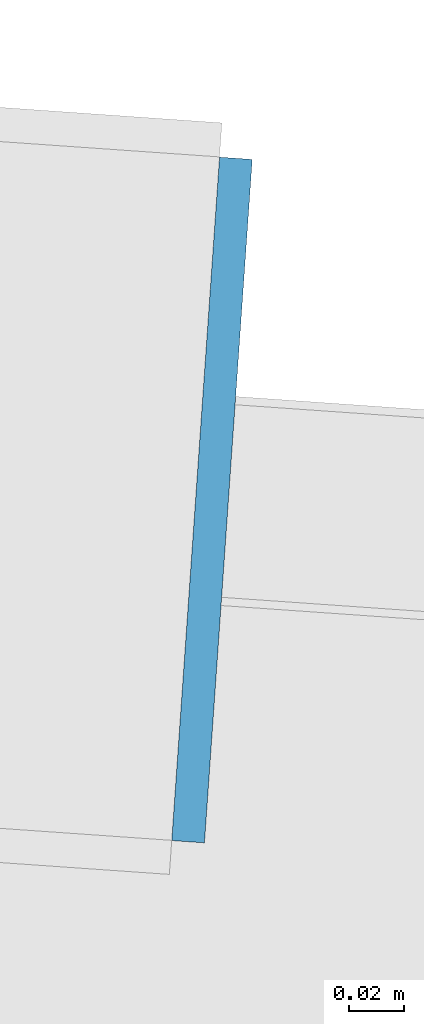
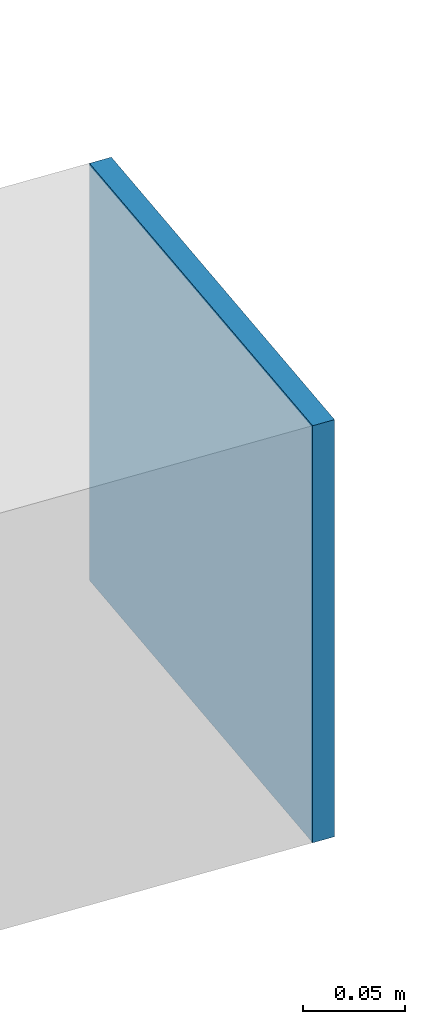
# One storey, part 31 of 39: 1 plate.
"""IFC4 building model written with IfcOpenShell, lengths in metres."""

import ifcopenshell
import ifcopenshell.guid

model = None  # the IFC model being written
_history = None  # IfcOwnerHistory: only IFC2X3 demands one
_inside = {}  # id of a spatial element -> (the spatial element, [elements in it])
_under = {}  # id of a project, library or spatial element -> (it, [spatial elements below it])
_declared = {}  # id of a project -> (the project, [libraries it declares])
_typed = {}  # id of a type object -> (the type object, [elements of that type])
_made_of = {}  # id of a material, layer set ... -> (it, [elements and type objects made of it])


def new_model(schema):
    """Start an empty IFC model of exactly this schema.

    Asked for "IFC4X3", IfcOpenShell would pick the latest addendum, in which some entities
    have other attributes; the version numbers below select the first issue.
    IFC2X3 requires an IfcOwnerHistory on every rooted entity: one is made here for all.
    """
    global model, _history
    if schema == "IFC4X3":
        model = ifcopenshell.file(schema_version=(4, 3, 0, 0))
    else:
        model = ifcopenshell.file(schema=schema)
    _inside.clear()
    _under.clear()
    _declared.clear()
    _typed.clear()
    _made_of.clear()
    _history = None
    if model.schema == "IFC2X3":
        org = make("IfcOrganization", Name="unknown")
        user = make(
            "IfcPersonAndOrganization",
            ThePerson=make("IfcPerson", FamilyName="unknown"),
            TheOrganization=org,
        )
        app = make(
            "IfcApplication",
            ApplicationDeveloper=org,
            Version="unknown",
            ApplicationFullName="unknown",
            ApplicationIdentifier="unknown",
        )
        _history = make(
            "IfcOwnerHistory",
            OwningUser=user,
            OwningApplication=app,
            ChangeAction="ADDED",
            CreationDate=0,
        )
    return model


def make(cls, **values):
    """One entity of the class cls with the attributes given. An attribute that is None is left unset."""
    return model.create_entity(
        cls, **{name: value for name, value in values.items() if value is not None}
    )


def rooted(cls, **values):
    """An entity with a GlobalId (a new one), such as an element, a storey or a relation."""
    return make(cls, GlobalId=ifcopenshell.guid.new(), OwnerHistory=_history, **values)


def si_unit(unit_type, name, prefix=None):
    """IfcSIUnit, for example si_unit("LENGTHUNIT", "METRE", prefix="MILLI")."""
    return make("IfcSIUnit", UnitType=unit_type, Prefix=prefix, Name=name)


def assignment(units):
    """IfcUnitAssignment: the units of a project."""
    return None if units is None else make("IfcUnitAssignment", Units=units)


def point(xyz):
    """IfcCartesianPoint."""
    return None if xyz is None else make("IfcCartesianPoint", Coordinates=xyz)


def direction(xyz):
    """IfcDirection."""
    return None if xyz is None else make("IfcDirection", DirectionRatios=xyz)


def frame(location, z_axis=None, x_axis=None):
    """IfcAxis2Placement3D, a coordinate frame: its origin and axes. An axis left out is left unset."""
    return make(
        "IfcAxis2Placement3D",
        Location=point(location),
        Axis=direction(z_axis),
        RefDirection=direction(x_axis),
    )


def frame_2d(location, x_axis=None):
    """IfcAxis2Placement2D, a coordinate frame in the plane: its origin and x axis."""
    return make(
        "IfcAxis2Placement2D", Location=point(location), RefDirection=direction(x_axis)
    )


def origin():
    """The frame at (0, 0, 0) with its axes left unset."""
    return frame((0.0, 0.0, 0.0))


def origin_2d():
    """The frame at (0, 0) in the plane with its x axis left unset."""
    return frame_2d((0.0, 0.0))


def place(relative_to, where):
    """IfcLocalPlacement: puts the frame where relative to a parent placement (None: the world)."""
    return make(
        "IfcLocalPlacement", PlacementRelTo=relative_to, RelativePlacement=where
    )


def context(
    kind, dimensions, precision=None, world=None, true_north=None, identifier=None
):
    """IfcGeometricRepresentationContext, for example the 3D "Model" context."""
    return make(
        "IfcGeometricRepresentationContext",
        ContextIdentifier=identifier,
        ContextType=kind,
        CoordinateSpaceDimension=dimensions,
        Precision=precision,
        WorldCoordinateSystem=world,
        TrueNorth=true_north,
    )


def subcontext(parent, identifier, kind, view, scale=None):
    """IfcGeometricRepresentationSubContext, for example "Body" below "Model"."""
    return make(
        "IfcGeometricRepresentationSubContext",
        ContextIdentifier=identifier,
        ContextType=kind,
        ParentContext=parent,
        TargetScale=scale,
        TargetView=view,
    )


def project(units=None, contexts=None):
    """IfcProject with its units and contexts."""
    return rooted(
        "IfcProject",
        Name="project",
        RepresentationContexts=contexts,
        UnitsInContext=assignment(units),
    )


def spatial(cls, under=None, at=None, **own):
    """A site, building, storey or space (cls), placed at a placement, below another one or the project."""
    s = rooted(cls, ObjectPlacement=at, **own)
    if under is not None:
        _under.setdefault(under.id(), (under, []))[1].append(s)
    return s


def profile(cls, at=None, kind="AREA", **sizes):
    """A parametric profile (cls). Its sizes go by their IFC names, for example OverallWidth=200.0."""
    return make(cls, ProfileType=kind, Position=at, **sizes)


def rectangle(**sizes):
    """IfcRectangleProfileDef."""
    return profile("IfcRectangleProfileDef", **sizes)


def extrude(swept, where, along, depth):
    """IfcExtrudedAreaSolid: the profile swept, set in the frame where, extruded along a direction by depth."""
    return make(
        "IfcExtrudedAreaSolid",
        SweptArea=swept,
        Position=where,
        ExtrudedDirection=direction(along),
        Depth=depth,
    )


def shape(context_of_items, identifier, shape_type, items):
    """IfcShapeRepresentation: the items that make up one representation, for example the "Body"."""
    return make(
        "IfcShapeRepresentation",
        ContextOfItems=context_of_items,
        RepresentationIdentifier=identifier,
        RepresentationType=shape_type,
        Items=items,
    )


def source(mapping_origin, context_of_items, identifier, shape_type, items):
    """IfcRepresentationMap: a shape defined once, which mapped items show again and again."""
    return make(
        "IfcRepresentationMap",
        MappingOrigin=mapping_origin,
        MappedRepresentation=shape(context_of_items, identifier, shape_type, items),
    )


def transform(
    local_origin,
    x_axis=None,
    y_axis=None,
    z_axis=None,
    scale=None,
    scale2=None,
    scale3=None,
    uniform=True,
):
    """IfcCartesianTransformationOperator3D, or its non-uniform kind. x_axis, y_axis, z_axis: its Axis1, 2, 3."""
    if uniform:
        return make(
            "IfcCartesianTransformationOperator3D",
            Axis1=direction(x_axis),
            Axis2=direction(y_axis),
            LocalOrigin=point(local_origin),
            Scale=scale,
            Axis3=direction(z_axis),
        )
    return make(
        "IfcCartesianTransformationOperator3DnonUniform",
        Axis1=direction(x_axis),
        Axis2=direction(y_axis),
        LocalOrigin=point(local_origin),
        Scale=scale,
        Axis3=direction(z_axis),
        Scale2=scale2,
        Scale3=scale3,
    )


def mapped(mapping_source, mapping_target):
    """IfcMappedItem: shows the shape of a source again, moved by a transform."""
    return make(
        "IfcMappedItem", MappingSource=mapping_source, MappingTarget=mapping_target
    )


def material(Name=None, Category=None):
    """IfcMaterial."""
    return make("IfcMaterial", Name=Name, Category=Category)


def layer(
    of_material, thickness, ventilated=None, Name=None, Category=None, Priority=None
):
    """IfcMaterialLayer: one layer of a wall or slab, of a material (None: an air gap)."""
    return make(
        "IfcMaterialLayer",
        Material=of_material,
        LayerThickness=thickness,
        IsVentilated=ventilated,
        Name=Name,
        Category=Category,
        Priority=Priority,
    )


def layer_set(layers, Name=None):
    """IfcMaterialLayerSet."""
    return make("IfcMaterialLayerSet", MaterialLayers=layers, LayerSetName=Name)


def made_of(thing, what):
    """Note that an element or type object is made of a material, layer set ...; save() writes the relation."""
    if what is not None:
        _made_of.setdefault(what.id(), (what, []))[1].append(thing)
    return thing


def type_object(cls, material=None, **own):
    """A type object (cls), such as IfcWallType, which elements share."""
    return made_of(rooted(cls, **own), material)


def element(
    cls,
    number,
    at=None,
    inside=None,
    cuts=None,
    type_object=None,
    material=None,
    context=None,
    identifier="Body",
    shape_type=None,
    held_by="IfcProductDefinitionShape",
    body=None,
    shapes=None,
    **own,
):
    """One element of the class cls, such as IfcWall. Its Tag is "e" and its number.

    at: its placement. inside: the storey or other place that contains it. cuts: it is an
    opening in that element (IfcRelVoidsElement). A single representation is given by context,
    identifier, shape_type and body (its items); several are given by shapes. held_by: the class
    of the entity that holds the representations. save() writes the other relations.
    """
    e = rooted(cls, Tag="e%d" % number, ObjectPlacement=at, **own)
    if body is not None:
        shapes = [shape(context, identifier, shape_type, body)]
    if shapes is not None:
        e.Representation = make(held_by, Representations=shapes)
    if inside is not None:
        _inside.setdefault(inside.id(), (inside, []))[1].append(e)
    if cuts is not None:
        rooted(
            "IfcRelVoidsElement", RelatingBuildingElement=cuts, RelatedOpeningElement=e
        )
    if type_object is not None:
        _typed.setdefault(type_object.id(), (type_object, []))[1].append(e)
    return made_of(e, material)


def aggregate(whole, parts):
    """IfcRelAggregates: a whole, such as a stair, and the parts it consists of."""
    return rooted("IfcRelAggregates", RelatingObject=whole, RelatedObjects=parts)


def save(model, path):
    """Write the relations noted so far, then the file.

    IfcRelAggregates (storeys below a building ...), IfcRelContainedInSpatialStructure (elements
    in a storey), IfcRelDefinesByType, IfcRelAssociatesMaterial and IfcRelDeclares: one each for
    every whole, place, type object, material and project.
    """
    for whole, parts in _under.values():
        aggregate(whole, parts)
    for where, things in _inside.values():
        rooted(
            "IfcRelContainedInSpatialStructure",
            RelatedElements=things,
            RelatingStructure=where,
        )
    for kind, things in _typed.values():
        rooted("IfcRelDefinesByType", RelatedObjects=things, RelatingType=kind)
    for what, things in _made_of.values():
        rooted("IfcRelAssociatesMaterial", RelatedObjects=things, RelatingMaterial=what)
    for by, libraries in _declared.values():
        rooted("IfcRelDeclares", RelatingContext=by, RelatedDefinitions=libraries)
    model.write(path)


model = new_model("IFC4")

# Units and contexts
model_context = context("Model", 3, precision=1e-05, world=origin(), true_north=direction((0.0, 1.0)))
body_context = subcontext(model_context, "Body", "Model", "MODEL_VIEW")
ifc_project = project(units=[si_unit("LENGTHUNIT", "METRE"), si_unit("AREAUNIT", "SQUARE_METRE"), si_unit("VOLUMEUNIT", "CUBIC_METRE"), si_unit("PLANEANGLEUNIT", "RADIAN"), si_unit("MASSUNIT", "GRAM", prefix="KILO")], contexts=[model_context])

# Site, building, storey
site_placement = place(None, origin())
site = spatial("IfcSite", under=ifc_project, at=site_placement, CompositionType="ELEMENT")
building_placement = place(site_placement, origin())
building = spatial("IfcBuilding", under=site, at=building_placement, Name="Taldren Reach Tower", CompositionType="ELEMENT")
storey_placement = place(building_placement, frame((0.0, 0.0, 129.85009765625)))
storey = spatial("IfcBuildingStorey", under=building, at=storey_placement, Name="L39", CompositionType="ELEMENT", Elevation=129.85009765625)

# Plate
ifc_material = material(Name="Steel Gr 350 (C350L0)", Category="steel")
ifc_layer = layer(ifc_material, 0.011962890625)
ifc_layer_set = layer_set([ifc_layer], Name="Steel Gr 350 (C350L0)")
plate_type = type_object("IfcPlateType", Name="PL-CAP-250", PredefinedType="SHEET", material=ifc_layer_set)
shared_shape = source(origin(), body_context, "Body", "SweptSolid", [
    extrude(rectangle(XDim=0.011962890625, YDim=0.25, at=origin_2d()), origin(), (0.0, 0.0, 1.0), 0.25),
])
plate_placement = place(storey_placement, frame((62.88330078125, 30.991943359375, 0.094970703125), z_axis=(0.0, 0.0, 1.0), x_axis=(0.99756405026, -0.069756473744, 0.0)))
element("IfcPlate", 1, at=plate_placement, inside=storey, type_object=plate_type, Name="Tie strut end cap plate B3-E3 L39", PredefinedType="SHEET", context=body_context, shape_type="MappedRepresentation", body=[
    mapped(shared_shape, transform((0.0, 0.0, 0.0), scale=1.0)),
])

save(model, "model.ifc")
